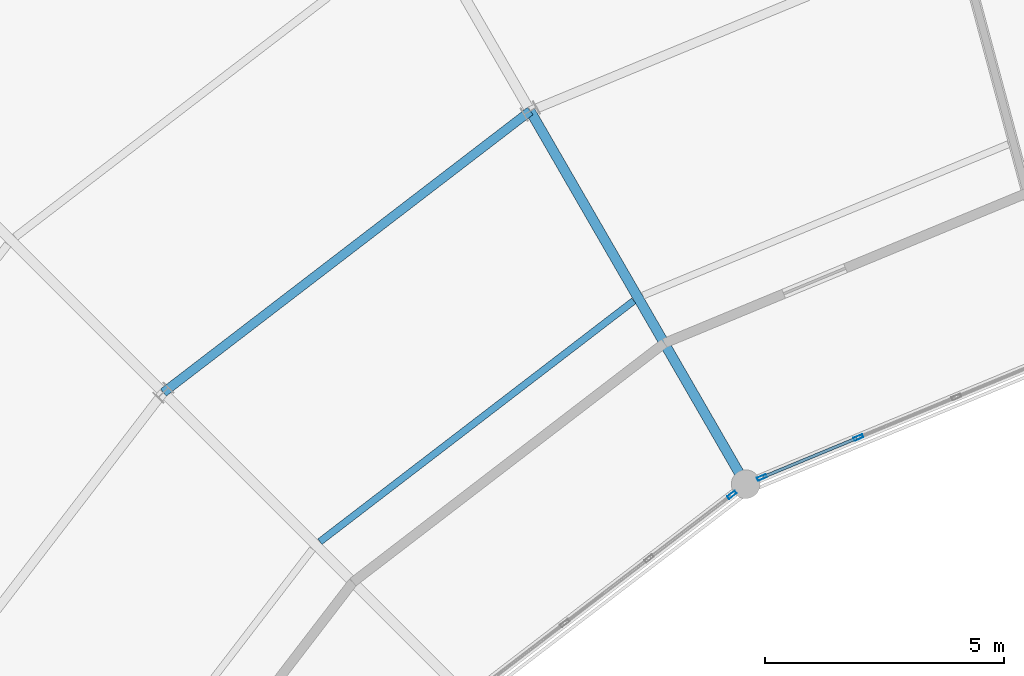
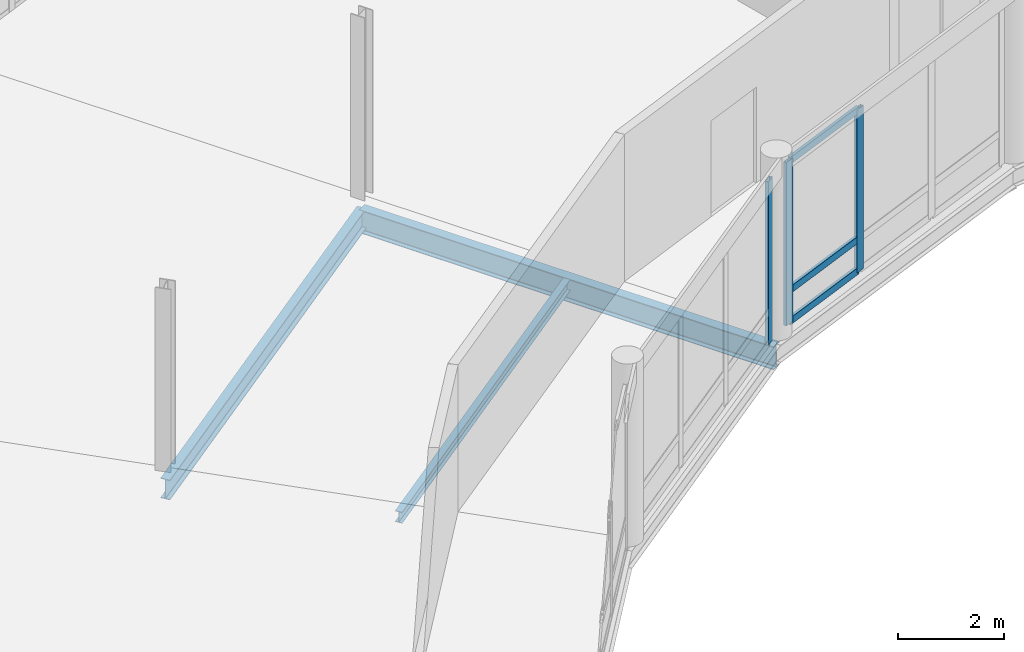
# One storey, part 73 of 170: 6 members, 3 beams, 2 elements without a shape of their own.
"""IFC4 building model written with IfcOpenShell, lengths in metres."""

from ifc_helpers import new_model, si_unit, direction, frame, origin, origin_2d, place, context, subcontext, project, spatial, hollow_rectangle, i_section, extrude, material, material_profile, profile_set, type_object, element, aggregate, save


model = new_model("IFC4")

# Units and contexts
model_context = context("Model", 3, precision=1e-05, world=origin(), true_north=direction((0.0, 1.0)))
body_context = subcontext(model_context, "Body", "Model", "MODEL_VIEW")
ifc_project = project(units=[si_unit("LENGTHUNIT", "METRE"), si_unit("AREAUNIT", "SQUARE_METRE"), si_unit("VOLUMEUNIT", "CUBIC_METRE"), si_unit("PLANEANGLEUNIT", "RADIAN"), si_unit("MASSUNIT", "GRAM", prefix="KILO")], contexts=[model_context])

# Site, building, storey
site_placement = place(None, origin())
site = spatial("IfcSite", under=ifc_project, at=site_placement, CompositionType="ELEMENT")
building_placement = place(site_placement, origin())
building = spatial("IfcBuilding", under=site, at=building_placement, Name="Vondelvale Polytechnic", CompositionType="ELEMENT")
storey_placement = place(building_placement, frame((0.0, 0.0, 5.39990234375)))
storey = spatial("IfcBuildingStorey", under=building, at=storey_placement, Name="L01", CompositionType="ELEMENT", Elevation=5.39990234375)

# Beams
ifc_material_1 = material(Name="Steel 300PLUS (fy = 300 MPa)", Category="steel")
ifc_material_profile_1 = material_profile(ifc_material_1, i_section(OverallWidth=0.19091796875, OverallDepth=0.4599609375, WebThickness=0.010009765625, FlangeThickness=0.01611328125, FilletRadius=0.011474609375, at=origin_2d()), Name="460UB82.1")
ifc_profile_set_1 = profile_set([ifc_material_profile_1], Name="Steel 300PLUS (fy = 300 MPa)")
beam_type_1 = type_object("IfcBeamType", Name="BM-UB460H", PredefinedType="BEAM", material=ifc_profile_set_1)
beam_1_placement = place(storey_placement, frame((83.5, 104.04296875, -0.510009765625), z_axis=(-0.793363832402, -0.60874775518, 0.0), x_axis=(0.60874775518, -0.793363832402, 0.0)))
element("IfcBeam", 1, at=beam_1_placement, inside=storey, type_object=beam_type_1, Name="L01 RB B-12", PredefinedType="BEAM", context=body_context, shape_type="SweptSolid", body=[
    extrude(i_section(OverallWidth=0.19091796875, OverallDepth=0.4599609375, WebThickness=0.010009765625, FlangeThickness=0.01611328125, FilletRadius=0.011474609375, at=origin_2d()), origin(), (0.0, 0.0, 1.0), 9.658935546875),
])
ifc_material_profile_2 = material_profile(ifc_material_1, i_section(OverallWidth=0.208984375, OverallDepth=0.532958984375, WebThickness=0.01025390625, FlangeThickness=0.015625, FilletRadius=0.013916015625, at=origin_2d()), Name="530UB92.4")
ifc_profile_set_2 = profile_set([ifc_material_profile_2], Name="Steel 300PLUS (fy = 300 MPa)")
beam_type_2 = type_object("IfcBeamType", Name="BM-UB530", PredefinedType="BEAM", material=ifc_profile_set_2)
beam_2_placement = place(storey_placement, frame((88.0, 96.248779296875, -0.54638671875), z_axis=(-0.5000018851, 0.866024315419, 0.0), x_axis=(-0.866024315419, -0.5000018851, 0.0)))
element("IfcBeam", 2, at=beam_2_placement, inside=storey, type_object=beam_type_2, Name="L01 RG B-11", PredefinedType="BEAM", context=body_context, shape_type="SweptSolid", body=[
    extrude(i_section(OverallWidth=0.208984375, OverallDepth=0.532958984375, WebThickness=0.01025390625, FlangeThickness=0.015625, FilletRadius=0.013916015625, at=origin_2d()), origin(), (0.0, 0.0, 1.0), 9.0),
])

# Curtain wall, members
ifc_material_2 = material(Name="Anodised extruded aluminium 6063-T6", Category="aluminium")
curtain_wall_type = type_object("IfcCurtainWallType", Name="CW-RING-CLOISTER", PredefinedType="NOTDEFINED", material=ifc_material_2)
curtain_wall_1_placement = place(storey_placement, origin())
curtain_wall_1 = element("IfcCurtainWall", 3, at=curtain_wall_1_placement, inside=storey, type_object=curtain_wall_type, Name="L01 architectural curtain wall CW-03-175", PredefinedType="NOTDEFINED")
ifc_material_profile_3 = material_profile(ifc_material_2, hollow_rectangle(XDim=0.070068359375, YDim=0.199951171875, WallThickness=0.00390625, at=origin_2d()), Name="CW-MUL-200x70")
ifc_profile_set_3 = profile_set([ifc_material_profile_3], Name="Anodised extruded aluminium 6063-T6")
member_type_1 = type_object("IfcMemberType", Name="CW-MUL-70x200", PredefinedType="MULLION", material=ifc_profile_set_3)
member_1_placement = place(storey_placement, frame((90.352783203125, 97.22314453125, 0.0), z_axis=(0.0, 0.0, 1.0), x_axis=(0.382678531697, -0.923881562419, 0.0)))
member_1 = element("IfcMember", 4, at=member_1_placement, type_object=member_type_1, Name="CW-03-175 mullion 3", PredefinedType="MULLION", context=body_context, shape_type="SweptSolid", body=[
    extrude(hollow_rectangle(XDim=0.070068359375, YDim=0.199951171875, WallThickness=0.00390625, at=origin_2d()), origin(), (0.0, 0.0, 1.0), 3.75),
])
member_2_placement = place(storey_placement, frame((88.337158203125, 96.388427734375, 0.0), z_axis=(0.0, 0.0, 1.0), x_axis=(0.382678531697, -0.923881562419, 0.0)))
member_2 = element("IfcMember", 5, at=member_2_placement, type_object=member_type_1, Name="CW-03-175 mullion 4", PredefinedType="MULLION", context=body_context, shape_type="SweptSolid", body=[
    extrude(hollow_rectangle(XDim=0.070068359375, YDim=0.199951171875, WallThickness=0.00390625, at=origin_2d()), origin(), (0.0, 0.0, 1.0), 3.75),
])

# Curtain wall, member
curtain_wall_2_placement = place(storey_placement, origin())
curtain_wall_2 = element("IfcCurtainWall", 6, at=curtain_wall_2_placement, inside=storey, type_object=curtain_wall_type, Name="L01 architectural curtain wall CW-03-194", PredefinedType="NOTDEFINED")
member_3_placement = place(storey_placement, frame((87.71142578125, 96.02734375, 0.0), z_axis=(0.0, 0.0, 1.0), x_axis=(0.608747717793, -0.793363861089, 0.0)))
member_3 = element("IfcMember", 7, at=member_3_placement, type_object=member_type_1, Name="CW-03-194 mullion 1", PredefinedType="MULLION", context=body_context, shape_type="SweptSolid", body=[
    extrude(hollow_rectangle(XDim=0.070068359375, YDim=0.199951171875, WallThickness=0.00390625, at=origin_2d()), origin(), (0.0, 0.0, 1.0), 3.75),
])
aggregate(curtain_wall_2, [member_3])

# Member
ifc_material_profile_4 = material_profile(ifc_material_2, hollow_rectangle(XDim=0.06494140625, YDim=0.159912109375, WallThickness=0.00341796875, at=origin_2d()), Name="CW-TRN-160x65")
ifc_profile_set_4 = profile_set([ifc_material_profile_4], Name="Anodised extruded aluminium 6063-T6")
member_type_2 = type_object("IfcMemberType", Name="CW-TRN-70x160", PredefinedType="USERDEFINED", material=ifc_profile_set_4)
member_4_placement = place(storey_placement, frame((90.3203125, 97.209716796875, 0.03271484375), z_axis=(-0.923902685011, -0.382627532503, 0.0), x_axis=(0.382627532503, -0.923902685011, 0.0)))
member_4 = element("IfcMember", 8, at=member_4_placement, type_object=member_type_2, Name="CW-03-175 transom 3.1", ObjectType="TRANSOM", PredefinedType="USERDEFINED", context=body_context, shape_type="SweptSolid", body=[
    extrude(hollow_rectangle(XDim=0.06494140625, YDim=0.159912109375, WallThickness=0.00341796875, at=origin_2d()), origin(), (0.0, 0.0, 1.0), 2.111328125),
])

member_5_placement = place(storey_placement, frame((90.3203125, 97.209716796875, 0.75), z_axis=(-0.923902685011, -0.382627532503, 0.0), x_axis=(0.382627532503, -0.923902685011, 0.0)))
member_5 = element("IfcMember", 9, at=member_5_placement, type_object=member_type_2, Name="CW-03-175 transom 3.2", ObjectType="TRANSOM", PredefinedType="USERDEFINED", context=body_context, shape_type="SweptSolid", body=[
    extrude(hollow_rectangle(XDim=0.06494140625, YDim=0.159912109375, WallThickness=0.00341796875, at=origin_2d()), origin(), (0.0, 0.0, 1.0), 2.111328125),
])

member_6_placement = place(storey_placement, frame((90.3203125, 97.209716796875, 3.717529296875), z_axis=(-0.923902685011, -0.382627532503, 0.0), x_axis=(0.382627532503, -0.923902685011, 0.0)))
member_6 = element("IfcMember", 10, at=member_6_placement, type_object=member_type_2, Name="CW-03-175 transom 3.3", ObjectType="TRANSOM", PredefinedType="USERDEFINED", context=body_context, shape_type="SweptSolid", body=[
    extrude(hollow_rectangle(XDim=0.06494140625, YDim=0.159912109375, WallThickness=0.00341796875, at=origin_2d()), origin(), (0.0, 0.0, 1.0), 2.111328125),
])

aggregate(curtain_wall_1, [member_1, member_2, member_4, member_5, member_6])

# Beam
ifc_material_profile_5 = material_profile(ifc_material_1, i_section(OverallWidth=0.14599609375, OverallDepth=0.256103515625, WebThickness=0.00634765625, FlangeThickness=0.010986328125, FilletRadius=0.0087890625, at=origin_2d()), Name="250UB37.3")
ifc_profile_set_5 = profile_set([ifc_material_profile_5], Name="Steel 300PLUS (fy = 300 MPa)")
beam_type_3 = type_object("IfcBeamType", Name="JST-UB250", PredefinedType="JOIST", material=ifc_profile_set_5)
beam_3_placement = place(storey_placement, frame((85.66259765625, 100.078857421875, -0.407958984375), z_axis=(-0.793361419587, -0.608750899721, 0.0), x_axis=(0.608750899721, -0.793361419587, 0.0)))
element("IfcBeam", 11, at=beam_3_placement, inside=storey, type_object=beam_type_3, Name="L01 RJ J-06", PredefinedType="JOIST", context=body_context, shape_type="SweptSolid", body=[
    extrude(i_section(OverallWidth=0.14599609375, OverallDepth=0.256103515625, WebThickness=0.00634765625, FlangeThickness=0.010986328125, FilletRadius=0.0087890625, at=origin_2d()), origin(), (0.0, 0.0, 1.0), 8.26416015625),
])

save(model, "model.ifc")
